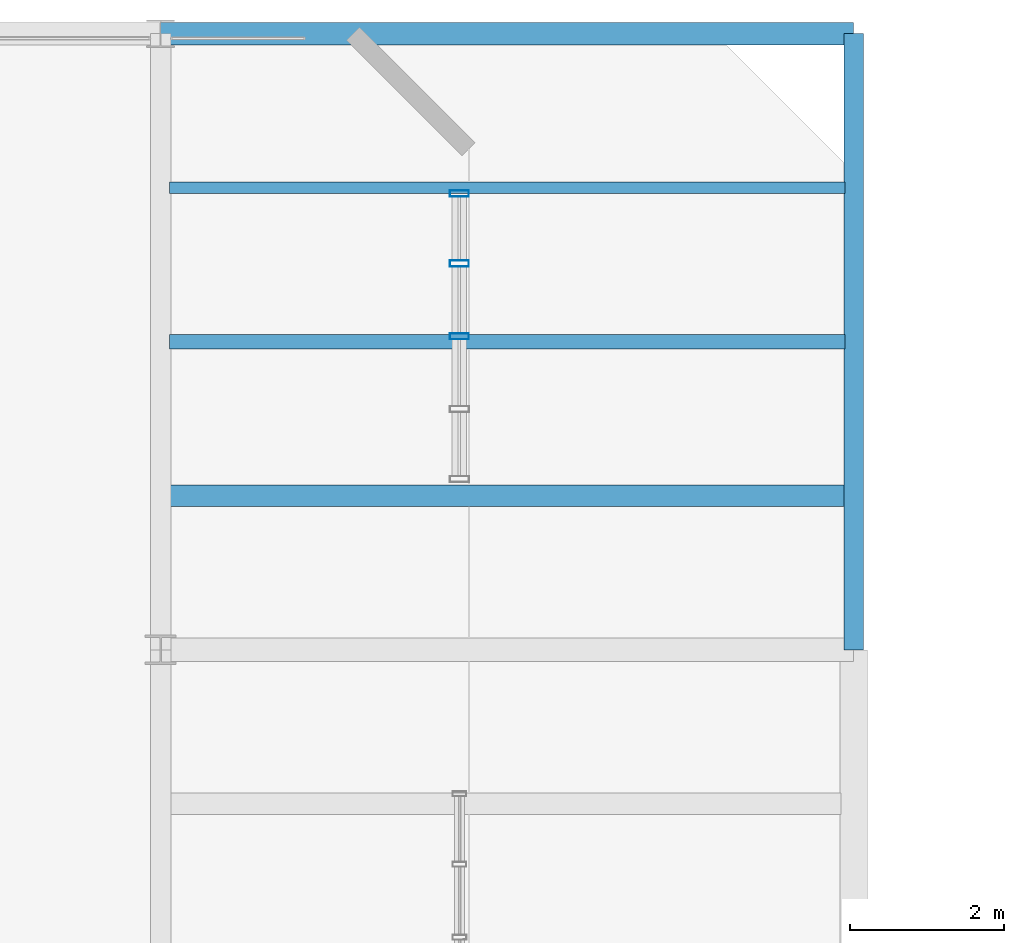
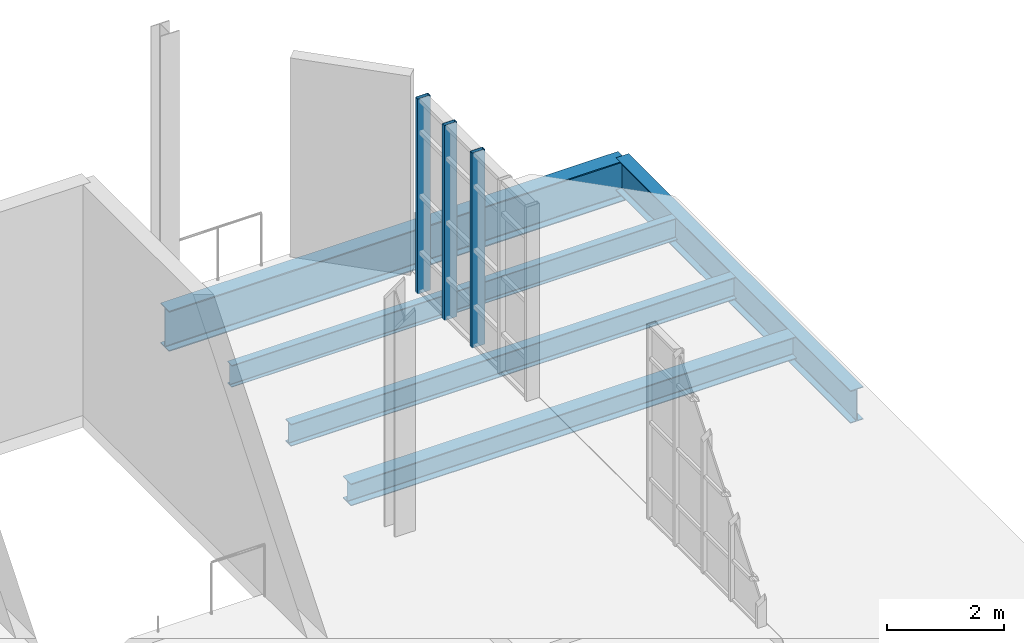
# One storey, part 22 of 36: 5 beams, 3 members, 1 element without a shape of its own.
"""IFC4 building model written with IfcOpenShell, lengths in metres."""

from ifc_helpers import new_model, si_unit, direction, frame, origin, origin_2d, place, context, subcontext, project, spatial, hollow_rectangle, i_section, extrude, material, layer, layer_set, material_profile, profile_set, type_object, element, aggregate, save


model = new_model("IFC4")

# Units and contexts
model_context = context("Model", 3, precision=1e-05, world=origin(), true_north=direction((0.0, 1.0)))
body_context = subcontext(model_context, "Body", "Model", "MODEL_VIEW")
ifc_project = project(units=[si_unit("LENGTHUNIT", "METRE"), si_unit("AREAUNIT", "SQUARE_METRE"), si_unit("VOLUMEUNIT", "CUBIC_METRE"), si_unit("PLANEANGLEUNIT", "RADIAN"), si_unit("MASSUNIT", "GRAM", prefix="KILO"), si_unit("THERMODYNAMICTEMPERATUREUNIT", "KELVIN"), si_unit("POWERUNIT", "WATT")], contexts=[model_context])

# Site, building, storey
site_placement = place(None, origin())
site = spatial("IfcSite", under=ifc_project, at=site_placement, CompositionType="ELEMENT")
building_placement = place(site_placement, origin())
building = spatial("IfcBuilding", under=site, at=building_placement, Name="Zelmaris Science Centre", CompositionType="ELEMENT")
storey_placement = place(building_placement, frame((0.0, 0.0, 25.199951171875)))
storey = spatial("IfcBuildingStorey", under=building, at=storey_placement, Name="L05", CompositionType="ELEMENT", Elevation=25.199951171875)

# Curtain wall, members
ifc_material_1 = material(Name="Anodised architectural aluminium 6063-T6", Category="aluminium")
ifc_layer = layer(ifc_material_1, 0.18994140625, Name="Anodised architectural aluminium 6063-T6")
ifc_layer_set = layer_set([ifc_layer], Name="Anodised architectural aluminium 6063-T6")
curtain_wall_type = type_object("IfcCurtainWallType", Name="Curtain Wall CW-01", PredefinedType="USERDEFINED", material=ifc_layer_set)
curtain_wall_placement = place(storey_placement, origin())
curtain_wall = element("IfcCurtainWall", 1, at=curtain_wall_placement, inside=storey, type_object=curtain_wall_type, Name="L05 Unitised curtain wall 361", ObjectType="GLAZED CURTAIN WALL", PredefinedType="USERDEFINED")
ifc_material_profile_1 = material_profile(ifc_material_1, hollow_rectangle(XDim=0.080078125, YDim=0.25, WallThickness=0.0048828125, at=origin_2d()), Name="ALU-MUL-80X250")
ifc_profile_set_1 = profile_set([ifc_material_profile_1], Name="Anodised architectural aluminium 6063-T6")
member_type = type_object("IfcMemberType", Name="ALU-MUL-80X250", PredefinedType="MULLION", material=ifc_profile_set_1)
member_1_placement = place(storey_placement, frame((75.879150390625, 85.925048828125, -0.014892578125), z_axis=(0.0, 0.0, 1.0), x_axis=(0.00039618973, -0.999999921517, 0.0)))
member_1 = element("IfcMember", 2, at=member_1_placement, type_object=member_type, Name="CW-01 mullion 1", PredefinedType="MULLION", context=body_context, shape_type="SweptSolid", body=[
    extrude(hollow_rectangle(XDim=0.080078125, YDim=0.25, WallThickness=0.0048828125, at=origin_2d()), origin(), (0.0, 0.0, 1.0), 4.054931640625),
])
member_2_placement = place(storey_placement, frame((75.879638671875, 85.015625, -0.014892578125), z_axis=(0.0, 0.0, 1.0), x_axis=(0.00039618973, -0.999999921517, 0.0)))
member_2 = element("IfcMember", 3, at=member_2_placement, type_object=member_type, Name="CW-01 mullion 2", PredefinedType="MULLION", context=body_context, shape_type="SweptSolid", body=[
    extrude(hollow_rectangle(XDim=0.080078125, YDim=0.25, WallThickness=0.0048828125, at=origin_2d()), origin(), (0.0, 0.0, 1.0), 4.054931640625),
])
member_3_placement = place(storey_placement, frame((75.8798828125, 84.070068359375, -0.014892578125), z_axis=(0.0, 0.0, 1.0), x_axis=(0.00039618973, -0.999999921517, 0.0)))
member_3 = element("IfcMember", 4, at=member_3_placement, type_object=member_type, Name="CW-01 mullion 3", PredefinedType="MULLION", context=body_context, shape_type="SweptSolid", body=[
    extrude(hollow_rectangle(XDim=0.080078125, YDim=0.25, WallThickness=0.0048828125, at=origin_2d()), origin(), (0.0, 0.0, 1.0), 4.054931640625),
])
aggregate(curtain_wall, [member_1, member_2, member_3])

# Beams
ifc_material_2 = material(Name="Steel ASTM A992 Grade 50", Category="steel")
ifc_material_profile_2 = material_profile(ifc_material_2, i_section(OverallWidth=0.2919921875, OverallDepth=0.841064453125, WebThickness=0.0146484375, FlangeThickness=0.021728515625, FilletRadius=0.02001953125, at=origin_2d()), Name="W33X130")
ifc_profile_set_2 = profile_set([ifc_material_profile_2], Name="Steel ASTM A992 Grade 50")
beam_type_1 = type_object("IfcBeamType", Name="Beam G-07 W33X130", PredefinedType="BEAM", material=ifc_profile_set_2)
beam_1_placement = place(storey_placement, frame((72.0, 88.0, -0.67041015625), z_axis=(1.0, 0.0, 0.0), x_axis=(0.0, 1.0, 0.0)))
element("IfcBeam", 5, at=beam_1_placement, inside=storey, type_object=beam_type_1, Name="L05 East-west girder 933", PredefinedType="BEAM", context=body_context, shape_type="SweptSolid", body=[
    extrude(i_section(OverallWidth=0.2919921875, OverallDepth=0.841064453125, WebThickness=0.0146484375, FlangeThickness=0.021728515625, FilletRadius=0.02001953125, at=origin_2d()), origin(), (0.0, 0.0, 1.0), 9.0),
])
ifc_material_profile_3 = material_profile(ifc_material_2, i_section(OverallWidth=0.25390625, OverallDepth=0.677978515625, WebThickness=0.01171875, FlangeThickness=0.016357421875, FilletRadius=0.01806640625, at=origin_2d()), Name="W27X84")
ifc_profile_set_3 = profile_set([ifc_material_profile_3], Name="Steel ASTM A992 Grade 50")
beam_type_2 = type_object("IfcBeamType", Name="Beam G-36 W27X84", PredefinedType="BEAM", material=ifc_profile_set_3)
beam_2_placement = place(storey_placement, frame((81.0, 80.0, -0.5888671875), z_axis=(0.0, 1.0, 0.0), x_axis=(-1.0, 0.0, 0.0)))
element("IfcBeam", 6, at=beam_2_placement, inside=storey, type_object=beam_type_2, Name="L05 North-south girder 924", PredefinedType="BEAM", context=body_context, shape_type="SweptSolid", body=[
    extrude(i_section(OverallWidth=0.25390625, OverallDepth=0.677978515625, WebThickness=0.01171875, FlangeThickness=0.016357421875, FilletRadius=0.01806640625, at=origin_2d()), origin(), (0.0, 0.0, 1.0), 8.0),
])
ifc_material_profile_4 = material_profile(ifc_material_2, i_section(OverallWidth=0.279052734375, OverallDepth=0.4619140625, WebThickness=0.0107421875, FlangeThickness=0.017333984375, FilletRadius=0.012939453125, at=origin_2d()), Name="W18X76")
ifc_profile_set_4 = profile_set([ifc_material_profile_4], Name="Steel ASTM A992 Grade 50")
beam_type_3 = type_object("IfcBeamType", Name="Beam J-03 W18X76", PredefinedType="JOIST", material=ifc_profile_set_4)
beam_3_placement = place(storey_placement, frame((72.118408203125, 82.0, -0.48095703125), z_axis=(1.0, 0.0, 0.0), x_axis=(0.0, 1.0, 0.0)))
element("IfcBeam", 7, at=beam_3_placement, inside=storey, type_object=beam_type_3, Name="L05 Composite floor joist 425", PredefinedType="JOIST", context=body_context, shape_type="SweptSolid", body=[
    extrude(i_section(OverallWidth=0.279052734375, OverallDepth=0.4619140625, WebThickness=0.0107421875, FlangeThickness=0.017333984375, FilletRadius=0.012939453125, at=origin_2d()), origin(), (0.0, 0.0, 1.0), 8.76953125),
])
ifc_material_profile_5 = material_profile(ifc_material_2, i_section(OverallWidth=0.19091796875, OverallDepth=0.4599609375, WebThickness=0.010009765625, FlangeThickness=0.01611328125, FilletRadius=0.012939453125, at=origin_2d()), Name="W18X55")
ifc_profile_set_5 = profile_set([ifc_material_profile_5], Name="Steel ASTM A992 Grade 50")
beam_type_4 = type_object("IfcBeamType", Name="Beam J-04 W18X55", PredefinedType="JOIST", material=ifc_profile_set_5)
beam_4_placement = place(storey_placement, frame((72.118408203125, 84.0, -0.47998046875), z_axis=(1.0, 0.0, 0.0), x_axis=(0.0, 1.0, 0.0)))
element("IfcBeam", 8, at=beam_4_placement, inside=storey, type_object=beam_type_4, Name="L05 Composite floor joist 426", PredefinedType="JOIST", context=body_context, shape_type="SweptSolid", body=[
    extrude(i_section(OverallWidth=0.19091796875, OverallDepth=0.4599609375, WebThickness=0.010009765625, FlangeThickness=0.01611328125, FilletRadius=0.012939453125, at=origin_2d()), origin(), (0.0, 0.0, 1.0), 8.76953125),
])
ifc_material_profile_6 = material_profile(ifc_material_2, i_section(OverallWidth=0.152099609375, OverallDepth=0.455078125, WebThickness=0.008056640625, FlangeThickness=0.01318359375, FilletRadius=0.012939453125, at=origin_2d()), Name="W18X40")
ifc_profile_set_6 = profile_set([ifc_material_profile_6], Name="Steel ASTM A992 Grade 50")
beam_type_5 = type_object("IfcBeamType", Name="Beam J-05 W18X40", PredefinedType="JOIST", material=ifc_profile_set_6)
beam_5_placement = place(storey_placement, frame((72.118408203125, 86.0, -0.4775390625), z_axis=(1.0, 0.0, 0.0), x_axis=(0.0, 1.0, 0.0)))
element("IfcBeam", 9, at=beam_5_placement, inside=storey, type_object=beam_type_5, Name="L05 Composite floor joist 427", PredefinedType="JOIST", context=body_context, shape_type="SweptSolid", body=[
    extrude(i_section(OverallWidth=0.152099609375, OverallDepth=0.455078125, WebThickness=0.008056640625, FlangeThickness=0.01318359375, FilletRadius=0.012939453125, at=origin_2d()), origin(), (0.0, 0.0, 1.0), 8.76953125),
])

save(model, "model.ifc")
